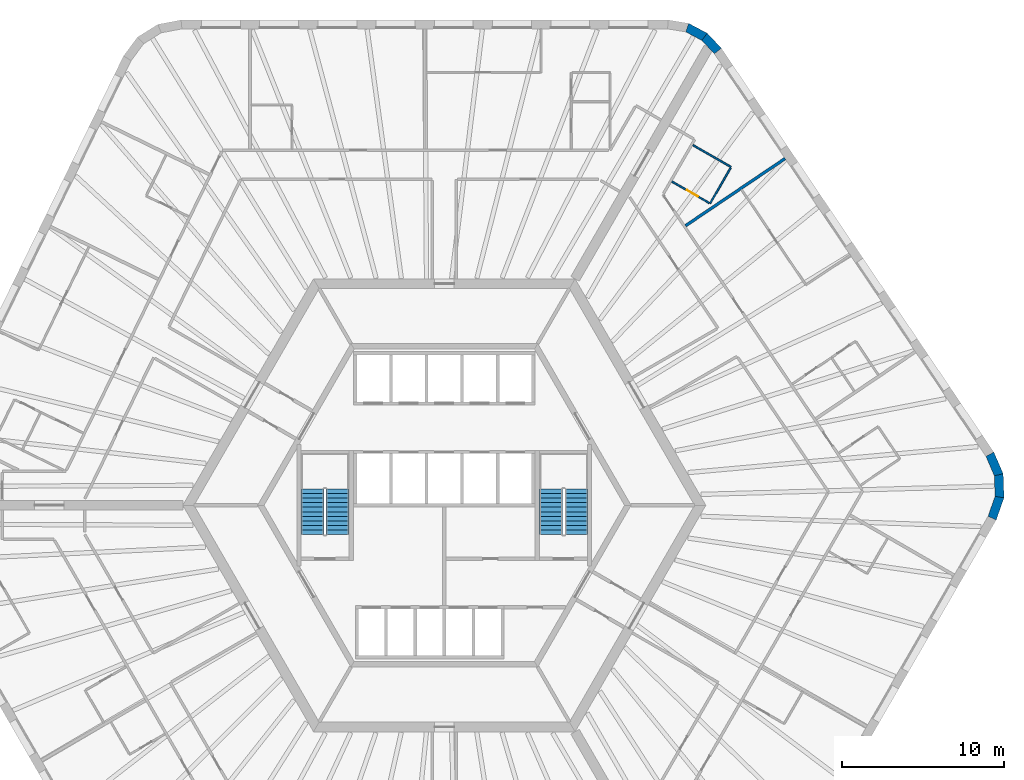
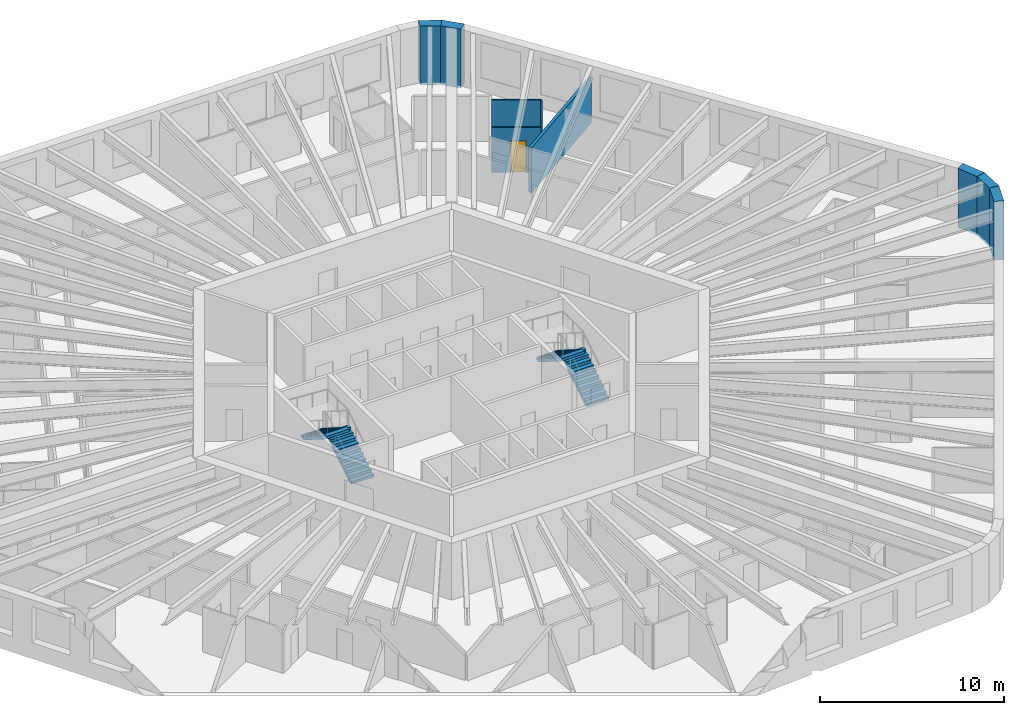
# One storey, part 11 of 12: 9 walls, 4 stair flights, 1 door, 1 opening, 2 elements without a shape of their own.
"""IFC4 building model written with IfcOpenShell, lengths in metres."""

from ifc_helpers import new_model, si_unit, direction, frame, frame_2d, origin, place, context, subcontext, project, spatial, polyline, rectangle, outline, extrude, material, layer, layer_set, type_object, element, fill, aggregate, save


model = new_model("IFC4")

# Units and contexts
model_context = context("Model", 3, precision=1e-05, world=origin(), true_north=direction((0.0, 1.0)))
body_context = subcontext(model_context, "Body", "Model", "MODEL_VIEW")
ifc_project = project(units=[si_unit("LENGTHUNIT", "METRE"), si_unit("AREAUNIT", "SQUARE_METRE"), si_unit("VOLUMEUNIT", "CUBIC_METRE"), si_unit("PLANEANGLEUNIT", "RADIAN"), si_unit("MASSUNIT", "GRAM", prefix="KILO")], contexts=[model_context])

# Site, building, storey
site_placement = place(None, origin())
site = spatial("IfcSite", under=ifc_project, at=site_placement, CompositionType="ELEMENT")
building_placement = place(site_placement, origin())
building = spatial("IfcBuilding", under=site, at=building_placement, Name="Tarnside Tower", CompositionType="ELEMENT")
storey_placement = place(building_placement, frame((0.0, 0.0, 72.60009765625)))
storey = spatial("IfcBuildingStorey", under=building, at=storey_placement, Name="L15", CompositionType="ELEMENT", Elevation=72.60009765625)

# Walls
ifc_material_1 = material(Name="Gypsum board partition on steel studs", Category="steel")
ifc_layer_1 = layer(ifc_material_1, 0.10009765625)
ifc_layer_set_1 = layer_set([ifc_layer_1], Name="Bathroom wall 100")
wall_type_1 = type_object("IfcWallType", Name="Bathroom wall 100", PredefinedType="PARTITIONING", material=ifc_layer_set_1)
wall_1_placement = place(storey_placement, frame((15.36865234375, 22.26953125, 0.0), z_axis=(0.0, 0.0, 1.0), x_axis=(0.866034909742, -0.499983534837, 0.0)))
element("IfcWall", 1, at=wall_1_placement, inside=storey, type_object=wall_type_1, Name="Bathroom wall 04151", PredefinedType="PARTITIONING", context=body_context, shape_type="SweptSolid", body=[
    extrude(rectangle(XDim=2.72509765625, YDim=0.10009765625, at=frame_2d((1.362548828125, 0.0))), origin(), (0.0, 0.0, 1.0), 2.98779296875),
])
wall_2_placement = place(storey_placement, frame((17.70361328125, 20.86376953125, 0.0), z_axis=(0.0, 0.0, 1.0), x_axis=(-0.499948979701, -0.866054858364, 0.0)))
element("IfcWall", 2, at=wall_2_placement, inside=storey, type_object=wall_type_1, Name="Bathroom wall 04152", PredefinedType="PARTITIONING", context=body_context, shape_type="SweptSolid", body=[
    extrude(rectangle(XDim=2.550048828125, YDim=0.10009765625, at=frame_2d((1.27490234375, 0.0))), origin(), (0.0, 0.0, 1.0), 2.98779296875),
])

# Wall, opening, door
wall_3_placement = place(storey_placement, frame((16.385498046875, 18.680419921875, 0.0), z_axis=(0.0, 0.0, 1.0), x_axis=(-0.86604424267, 0.499967368674, 0.0)))
wall_3 = element("IfcWall", 3, at=wall_3_placement, inside=storey, type_object=wall_type_1, Name="Bathroom wall 04153", PredefinedType="PARTITIONING", context=body_context, shape_type="SweptSolid", body=[
    extrude(rectangle(XDim=2.675048828125, YDim=0.10009765625, at=frame_2d((1.33740234375, 0.0))), origin(), (0.0, 0.0, 1.0), 2.98779296875),
])
opening_placement = place(wall_3_placement, frame((0.81005859375, 0.0, 0.0)))
opening = element("IfcOpeningElement", 4, at=opening_placement, cuts=wall_3, Name="Opening D-B1", PredefinedType="OPENING", context=body_context, shape_type="SweptSolid", body=[
    extrude(rectangle(XDim=0.800048828125, YDim=2.10009765625, at=frame_2d((0.39990234375, 1.050048828125))), frame((0.0, 0.06005859375, 0.0), z_axis=(0.0, -1.0, 0.0), x_axis=(1.0, 0.0, 0.0)), (0.0, 0.0, 1.0), 0.1201171875),
])
ifc_material_2 = material(Name="Timber door leaf", Category="wood")
door_type = type_object("IfcDoorType", Name="Bathroom door 800", OperationType="NOTDEFINED", PredefinedType="DOOR", material=ifc_material_2)
door_placement = place(opening_placement, origin())
door = element("IfcDoor", 5, at=door_placement, inside=storey, type_object=door_type, Name="Bathroom door 04040", OperationType="SINGLE_SWING_RIGHT", OverallHeight=2.10009765625, OverallWidth=0.800048828125, PredefinedType="DOOR", context=body_context, shape_type="SweptSolid", body=[
    extrude(rectangle(XDim=0.800048828125, YDim=2.10009765625, at=frame_2d((0.39990234375, 1.050048828125))), frame((0.0, 0.02490234375, 0.0), z_axis=(0.0, -1.0, 0.0), x_axis=(1.0, 0.0, 0.0)), (0.0, 0.0, 1.0), 0.050048828125),
])
fill(opening, door)

# Walls
ifc_layer_2 = layer(ifc_material_1, 0.179931640625)
ifc_layer_set_2 = layer_set([ifc_layer_2], Name="Demising wall 180 EI 60")
wall_type_2 = type_object("IfcWallType", Name="Demising wall 180 EI 60", PredefinedType="PARTITIONING", material=ifc_layer_set_2)
wall_4_placement = place(storey_placement, frame((21.066162109375, 21.433349609375, 0.0), z_axis=(0.0, 0.0, 1.0), x_axis=(-0.829028170871, -0.559206841788, 0.0)))
element("IfcWall", 6, at=wall_4_placement, inside=storey, type_object=wall_type_2, Name="Demising wall 04148", PredefinedType="PARTITIONING", context=body_context, shape_type="SweptSolid", body=[
    extrude(rectangle(XDim=7.425048828125, YDim=0.179931640625, at=frame_2d((3.71240234375, 0.0))), origin(), (0.0, 0.0, 1.0), 2.98779296875),
])
ifc_material_3 = material(Name="Facing brick", Category="masonry")
ifc_layer_3 = layer(ifc_material_3, 0.10205078125)
ifc_material_4 = material(Name="Concrete C60/75 precast", Category="concrete")
ifc_layer_4 = layer(ifc_material_4, 0.347900390625)
ifc_material_5 = material(Name="Mineral wool insulation")
ifc_layer_5 = layer(ifc_material_5, 0.10009765625)
ifc_layer_set_3 = layer_set([ifc_layer_3, ifc_layer_4, ifc_layer_5], Name="Tube wall 550 brick faced")
wall_type_3 = type_object("IfcWallType", Name="Tube wall 550 brick faced", PredefinedType="SOLIDWALL", material=ifc_layer_set_3)
wall_5_placement = place(storey_placement, frame((33.865966796875, -0.79248046875, -0.150146484375), z_axis=(0.0, 0.0, 1.0), x_axis=(0.33111537203, 0.943590276765, 0.0)))
element("IfcWall", 7, at=wall_5_placement, inside=storey, type_object=wall_type_3, Name="Tube wall L15 F5 chord 17", PredefinedType="SOLIDWALL", context=body_context, shape_type="SweptSolid", body=[
    extrude(outline(polyline([(-0.025634765625, -0.27490234375), (1.4306640625, -0.27490234375), (1.3271484375, 0.27490234375), (0.025634765625, 0.27490234375), (-0.025634765625, -0.27490234375)])), origin(), (0.0, 0.0, 1.0), 3.900146484375),
])
wall_6_placement = place(storey_placement, frame((34.322509765625, 0.508544921875, -0.150146484375), z_axis=(0.0, 0.0, 1.0), x_axis=(-0.034876908462, 0.999391615562, 0.0)))
element("IfcWall", 8, at=wall_6_placement, inside=storey, type_object=wall_type_3, Name="Tube wall L15 F5 chord 18", PredefinedType="SOLIDWALL", context=body_context, shape_type="SweptSolid", body=[
    extrude(outline(polyline([(-0.0517578125, -0.27490234375), (1.4306640625, -0.27490234375), (1.3271484375, 0.27490234375), (0.0517578125, 0.27490234375), (-0.0517578125, -0.27490234375)])), origin(), (0.0, 0.0, 1.0), 3.900146484375),
])
wall_7_placement = place(storey_placement, frame((34.2744140625, 1.88671875, -0.150146484375), z_axis=(0.0, 0.0, 1.0), x_axis=(-0.396161342798, 0.918180913803, 0.0)))
element("IfcWall", 9, at=wall_7_placement, inside=storey, type_object=wall_type_3, Name="Tube wall L15 F5 chord 19", PredefinedType="SOLIDWALL", context=body_context, shape_type="SweptSolid", body=[
    extrude(outline(polyline([(-0.0517578125, -0.27490234375), (1.40478515625, -0.27490234375), (1.353515625, 0.27490234375), (0.0517578125, 0.27490234375), (-0.0517578125, -0.27490234375)])), origin(), (0.0, 0.0, 1.0), 3.900146484375),
])
wall_8_placement = place(storey_placement, frame((16.91259765625, 28.0830078125, -0.150146484375), z_axis=(0.0, 0.0, 1.0), x_axis=(-0.686196220404, 0.727416488061, 0.0)))
element("IfcWall", 10, at=wall_8_placement, inside=storey, type_object=wall_type_3, Name="Tube wall L15 F6 chord 21", PredefinedType="SOLIDWALL", context=body_context, shape_type="SweptSolid", body=[
    extrude(outline(polyline([(-0.0224609375, -0.27490234375), (1.25341796875, -0.27490234375), (1.1630859375, 0.27490234375), (0.0224609375, 0.27490234375), (-0.0224609375, -0.27490234375)])), origin(), (0.0, 0.0, 1.0), 3.900146484375),
])
wall_9_placement = place(storey_placement, frame((16.08349609375, 28.9619140625, -0.150146484375), z_axis=(0.0, 0.0, 1.0), x_axis=(-0.882995347911, 0.469381737574, 0.0)))
element("IfcWall", 11, at=wall_9_placement, inside=storey, type_object=wall_type_3, Name="Tube wall L15 F6 chord 22", PredefinedType="SOLIDWALL", context=body_context, shape_type="SweptSolid", body=[
    extrude(outline(polyline([(-0.045166015625, -0.27490234375), (1.25341796875, -0.27490234375), (1.1630859375, 0.27490234375), (0.045166015625, 0.27490234375), (-0.045166015625, -0.27490234375)])), origin(), (0.0, 0.0, 1.0), 3.900146484375),
])

# Stair, stair flights
ifc_material_6 = material(Name="Concrete C40/50", Category="concrete")
stair_type = type_object("IfcStairType", Name="Exit stair 1400 clear", PredefinedType="HALF_TURN_STAIR", material=ifc_material_6)
stair_1_placement = place(storey_placement, origin())
stair_1 = element("IfcStair", 12, at=stair_1_placement, inside=storey, type_object=stair_type, Name="L15 Exit stair 1", PredefinedType="HALF_TURN_STAIR")
stair_flight_type = type_object("IfcStairFlightType", Name="Exit stair flight 1400", PredefinedType="STRAIGHT", material=ifc_material_6)
stair_flight_1_placement = place(storey_placement, frame((8.14990234375, -1.800048828125, 0.0), z_axis=(0.0, 0.0, 1.0), x_axis=(0.0, 1.0, 0.0)))
stair_flight_1 = element("IfcStairFlight", 13, at=stair_flight_1_placement, type_object=stair_flight_type, Name="ST1 flight 1", NumberOfRisers=11, NumberOfTreads=10, PredefinedType="STRAIGHT", RiserHeight=0.177272727, TreadLength=0.28, context=body_context, shape_type="SweptSolid", body=[
    extrude(outline(polyline([(0.0, 0.0), (0.0, 0.17724609375), (0.280029296875, 0.17724609375), (0.280029296875, 0.3544921875), (0.56005859375, 0.3544921875), (0.56005859375, 0.53173828125), (0.840087890625, 0.53173828125), (0.840087890625, 0.708984375), (1.1201171875, 0.708984375), (1.1201171875, 0.886474609375), (1.39990234375, 0.886474609375), (1.39990234375, 1.063720703125), (1.679931640625, 1.063720703125), (1.679931640625, 1.240966796875), (1.9599609375, 1.240966796875), (1.9599609375, 1.418212890625), (2.239990234375, 1.418212890625), (2.239990234375, 1.595458984375), (2.52001953125, 1.595458984375), (2.52001953125, 1.772705078125), (2.800048828125, 1.772705078125), (2.800048828125, 1.949951171875), (2.800048828125, 1.59521484375), (0.2802734375, 0.0), (0.0, 0.0)])), frame((0.0, 0.699951171875, 0.0), z_axis=(0.0, -1.0, 0.0), x_axis=(1.0, 0.0, 0.0)), (0.0, 0.0, 1.0), 1.39990234375),
])
stair_flight_2_placement = place(storey_placement, frame((6.60009765625, 1.0, 1.949951171875), z_axis=(0.0, 0.0, 1.0), x_axis=(0.0, -1.0, 0.0)))
stair_flight_2 = element("IfcStairFlight", 14, at=stair_flight_2_placement, type_object=stair_flight_type, Name="ST1 flight 2", NumberOfRisers=11, NumberOfTreads=10, PredefinedType="STRAIGHT", RiserHeight=0.177272727, TreadLength=0.28, context=body_context, shape_type="SweptSolid", body=[
    extrude(outline(polyline([(0.0, 0.0), (0.0, 0.17724609375), (0.280029296875, 0.17724609375), (0.280029296875, 0.3544921875), (0.56005859375, 0.3544921875), (0.56005859375, 0.53173828125), (0.840087890625, 0.53173828125), (0.840087890625, 0.708984375), (1.1201171875, 0.708984375), (1.1201171875, 0.886474609375), (1.39990234375, 0.886474609375), (1.39990234375, 1.063720703125), (1.679931640625, 1.063720703125), (1.679931640625, 1.240966796875), (1.9599609375, 1.240966796875), (1.9599609375, 1.418212890625), (2.239990234375, 1.418212890625), (2.239990234375, 1.595458984375), (2.52001953125, 1.595458984375), (2.52001953125, 1.772705078125), (2.800048828125, 1.772705078125), (2.800048828125, 1.949951171875), (2.800048828125, 1.59521484375), (0.2802734375, 0.0), (0.0, 0.0)])), frame((0.0, 0.699951171875, 0.0), z_axis=(0.0, -1.0, 0.0), x_axis=(1.0, 0.0, 0.0)), (0.0, 0.0, 1.0), 1.39990234375),
])
aggregate(stair_1, [stair_flight_1, stair_flight_2])

stair_2_placement = place(storey_placement, origin())
stair_2 = element("IfcStair", 15, at=stair_2_placement, inside=storey, type_object=stair_type, Name="L15 Exit stair 2", PredefinedType="HALF_TURN_STAIR")
stair_flight_3_placement = place(storey_placement, frame((-6.60009765625, -1.800048828125, 0.0), z_axis=(0.0, 0.0, 1.0), x_axis=(0.0, 1.0, 0.0)))
stair_flight_3 = element("IfcStairFlight", 16, at=stair_flight_3_placement, type_object=stair_flight_type, Name="ST2 flight 1", NumberOfRisers=11, NumberOfTreads=10, PredefinedType="STRAIGHT", RiserHeight=0.177272727, TreadLength=0.28, context=body_context, shape_type="SweptSolid", body=[
    extrude(outline(polyline([(0.0, 0.0), (0.0, 0.17724609375), (0.280029296875, 0.17724609375), (0.280029296875, 0.3544921875), (0.56005859375, 0.3544921875), (0.56005859375, 0.53173828125), (0.840087890625, 0.53173828125), (0.840087890625, 0.708984375), (1.1201171875, 0.708984375), (1.1201171875, 0.886474609375), (1.39990234375, 0.886474609375), (1.39990234375, 1.063720703125), (1.679931640625, 1.063720703125), (1.679931640625, 1.240966796875), (1.9599609375, 1.240966796875), (1.9599609375, 1.418212890625), (2.239990234375, 1.418212890625), (2.239990234375, 1.595458984375), (2.52001953125, 1.595458984375), (2.52001953125, 1.772705078125), (2.800048828125, 1.772705078125), (2.800048828125, 1.949951171875), (2.800048828125, 1.59521484375), (0.2802734375, 0.0), (0.0, 0.0)])), frame((0.0, 0.699951171875, 0.0), z_axis=(0.0, -1.0, 0.0), x_axis=(1.0, 0.0, 0.0)), (0.0, 0.0, 1.0), 1.39990234375),
])
stair_flight_4_placement = place(storey_placement, frame((-8.14990234375, 1.0, 1.949951171875), z_axis=(0.0, 0.0, 1.0), x_axis=(0.0, -1.0, 0.0)))
stair_flight_4 = element("IfcStairFlight", 17, at=stair_flight_4_placement, type_object=stair_flight_type, Name="ST2 flight 2", NumberOfRisers=11, NumberOfTreads=10, PredefinedType="STRAIGHT", RiserHeight=0.177272727, TreadLength=0.28, context=body_context, shape_type="SweptSolid", body=[
    extrude(outline(polyline([(0.0, 0.0), (0.0, 0.17724609375), (0.280029296875, 0.17724609375), (0.280029296875, 0.3544921875), (0.56005859375, 0.3544921875), (0.56005859375, 0.53173828125), (0.840087890625, 0.53173828125), (0.840087890625, 0.708984375), (1.1201171875, 0.708984375), (1.1201171875, 0.886474609375), (1.39990234375, 0.886474609375), (1.39990234375, 1.063720703125), (1.679931640625, 1.063720703125), (1.679931640625, 1.240966796875), (1.9599609375, 1.240966796875), (1.9599609375, 1.418212890625), (2.239990234375, 1.418212890625), (2.239990234375, 1.595458984375), (2.52001953125, 1.595458984375), (2.52001953125, 1.772705078125), (2.800048828125, 1.772705078125), (2.800048828125, 1.949951171875), (2.800048828125, 1.59521484375), (0.2802734375, 0.0), (0.0, 0.0)])), frame((0.0, 0.699951171875, 0.0), z_axis=(0.0, -1.0, 0.0), x_axis=(1.0, 0.0, 0.0)), (0.0, 0.0, 1.0), 1.39990234375),
])
aggregate(stair_2, [stair_flight_3, stair_flight_4])

save(model, "model.ifc")
